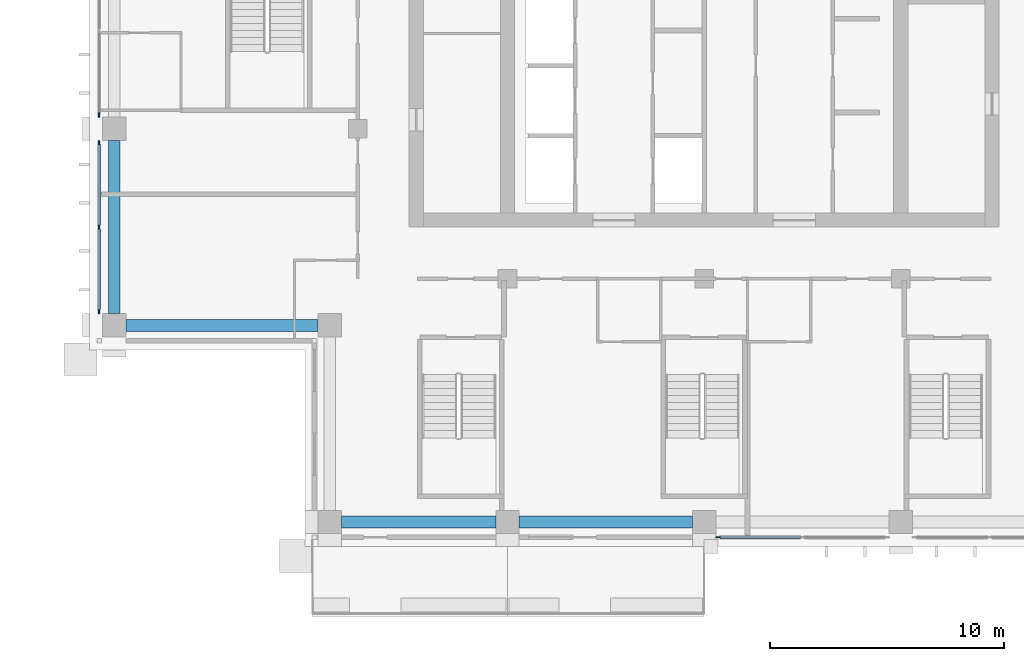
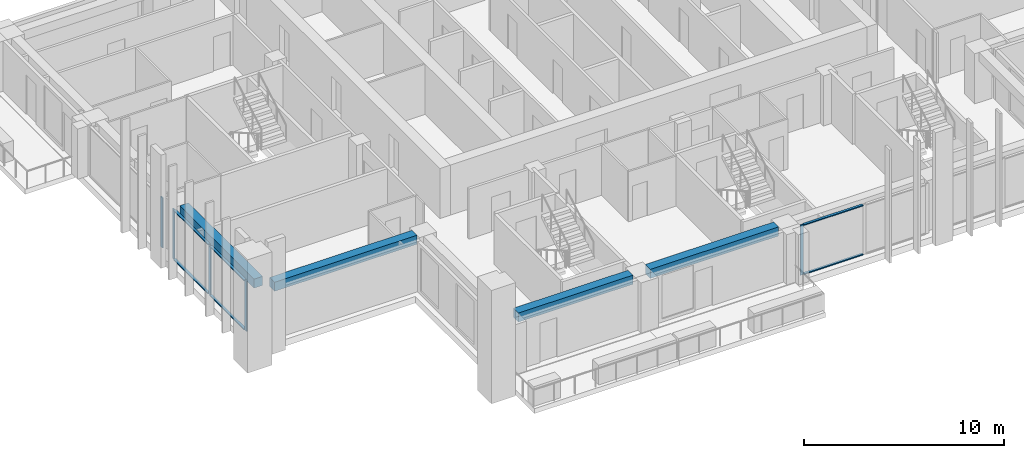
# One storey, part 2 of 16: 11 members, 4 beams, 3 elements without a shape of their own.
"""IFC4 building model written with IfcOpenShell, lengths in metres."""

from ifc_helpers import new_model, si_unit, direction, frame, origin, origin_2d, place, context, subcontext, project, spatial, rectangle, extrude, material, material_profile, profile_set, type_object, element, aggregate, save


model = new_model("IFC4")

# Units and contexts
model_context = context("Model", 3, precision=1e-05, world=origin(), true_north=direction((0.0, 1.0)))
body_context = subcontext(model_context, "Body", "Model", "MODEL_VIEW")
ifc_project = project(units=[si_unit("LENGTHUNIT", "METRE"), si_unit("AREAUNIT", "SQUARE_METRE"), si_unit("VOLUMEUNIT", "CUBIC_METRE"), si_unit("PLANEANGLEUNIT", "RADIAN"), si_unit("MASSUNIT", "GRAM", prefix="KILO")], contexts=[model_context])

# Site, building, storey
site_placement = place(None, origin())
site = spatial("IfcSite", under=ifc_project, at=site_placement, CompositionType="ELEMENT")
building_placement = place(site_placement, origin())
building = spatial("IfcBuilding", under=site, at=building_placement, Name="Vermilion Ogive Tower", CompositionType="ELEMENT")
storey_placement = place(building_placement, frame((0.0, 0.0, 206.60009765625)))
storey = spatial("IfcBuildingStorey", under=building, at=storey_placement, Name="L54", CompositionType="ELEMENT", Elevation=206.60009765625)

# Curtain wall, member
ifc_material_1 = material(Name="Low-iron laminated glazing in aluminium frame", Category="aluminium")
curtain_wall_type = type_object("IfcCurtainWallType", Name="Curtain wall CW7", PredefinedType="NOTDEFINED", material=ifc_material_1)
curtain_wall_1_placement = place(storey_placement, origin())
curtain_wall_1 = element("IfcCurtainWall", 1, at=curtain_wall_1_placement, inside=storey, type_object=curtain_wall_type, Name="Glazed skin S3", PredefinedType="NOTDEFINED")
ifc_material_2 = material(Name="Aluminium mullion", Category="aluminium")
ifc_material_profile_1 = material_profile(ifc_material_2, rectangle(XDim=0.06005859375, YDim=0.179931640625, at=origin_2d()), Name="AL 60x180")
ifc_profile_set_1 = profile_set([ifc_material_profile_1], Name="Aluminium mullion")
member_type_1 = type_object("IfcMemberType", Name="CW7 mullion 60x180", PredefinedType="MULLION", material=ifc_profile_set_1)
member_1_placement = place(storey_placement, frame((0.590087890625, -21.64990234375, 0.0), z_axis=(0.0, 0.0, 1.0), x_axis=(0.0, 1.0, 0.0)))
member_1 = element("IfcMember", 2, at=member_1_placement, type_object=member_type_1, Name="CW7-S3 mullion 1", PredefinedType="MULLION", context=body_context, shape_type="SweptSolid", body=[
    extrude(rectangle(XDim=0.06005859375, YDim=0.179931640625, at=origin_2d()), origin(), (0.0, 0.0, 1.0), 3.0498046875),
])

curtain_wall_2_placement = place(storey_placement, origin())
curtain_wall_2 = element("IfcCurtainWall", 3, at=curtain_wall_2_placement, inside=storey, type_object=curtain_wall_type, Name="Glazed skin W2", PredefinedType="NOTDEFINED")
member_2_placement = place(storey_placement, frame((-25.85009765625, -3.610107421875, 0.0), z_axis=(0.0, 0.0, 1.0), x_axis=(1.0, 0.0, 0.0)))
member_2 = element("IfcMember", 4, at=member_2_placement, type_object=member_type_1, Name="CW7-W2 mullion 3", PredefinedType="MULLION", context=body_context, shape_type="SweptSolid", body=[
    extrude(rectangle(XDim=0.06005859375, YDim=0.179931640625, at=origin_2d()), origin(), (0.0, 0.0, 1.0), 3.0498046875),
])
aggregate(curtain_wall_2, [member_2])

# Curtain wall, members
curtain_wall_3_placement = place(storey_placement, origin())
curtain_wall_3 = element("IfcCurtainWall", 5, at=curtain_wall_3_placement, inside=storey, type_object=curtain_wall_type, Name="Glazed skin W3", PredefinedType="NOTDEFINED")
member_3_placement = place(storey_placement, frame((-25.85009765625, -4.7900390625, 0.0), z_axis=(0.0, 0.0, 1.0), x_axis=(1.0, 0.0, 0.0)))
member_3 = element("IfcMember", 6, at=member_3_placement, type_object=member_type_1, Name="CW7-W3 mullion 1", PredefinedType="MULLION", context=body_context, shape_type="SweptSolid", body=[
    extrude(rectangle(XDim=0.06005859375, YDim=0.179931640625, at=origin_2d()), origin(), (0.0, 0.0, 1.0), 3.0498046875),
])
member_4_placement = place(storey_placement, frame((-25.85009765625, -8.39990234375, 0.0), z_axis=(0.0, 0.0, 1.0), x_axis=(1.0, 0.0, 0.0)))
member_4 = element("IfcMember", 7, at=member_4_placement, type_object=member_type_1, Name="CW7-W3 mullion 2", PredefinedType="MULLION", context=body_context, shape_type="SweptSolid", body=[
    extrude(rectangle(XDim=0.06005859375, YDim=0.179931640625, at=origin_2d()), origin(), (0.0, 0.0, 1.0), 3.0498046875),
])
member_5_placement = place(storey_placement, frame((-25.85009765625, -12.010009765625, 0.0), z_axis=(0.0, 0.0, 1.0), x_axis=(1.0, 0.0, 0.0)))
member_5 = element("IfcMember", 8, at=member_5_placement, type_object=member_type_1, Name="CW7-W3 mullion 3", PredefinedType="MULLION", context=body_context, shape_type="SweptSolid", body=[
    extrude(rectangle(XDim=0.06005859375, YDim=0.179931640625, at=origin_2d()), origin(), (0.0, 0.0, 1.0), 3.0498046875),
])

# Member
ifc_material_3 = material(Name="Aluminium transom", Category="aluminium")
ifc_material_profile_2 = material_profile(ifc_material_3, rectangle(XDim=0.139892578125, YDim=0.06005859375, at=origin_2d()), Name="AL 60x140")
ifc_profile_set_2 = profile_set([ifc_material_profile_2], Name="Aluminium transom")
member_type_2 = type_object("IfcMemberType", Name="CW7 transom 60x140", PredefinedType="USERDEFINED", material=ifc_profile_set_2)
member_6_placement = place(storey_placement, frame((0.679931640625, -21.64990234375, 0.02978515625), z_axis=(1.0, 0.0, 0.0), x_axis=(0.0, 1.0, 0.0)))
member_6 = element("IfcMember", 9, at=member_6_placement, type_object=member_type_2, Name="CW7-S3 transom 1.1", ObjectType="TRANSOM", PredefinedType="USERDEFINED", context=body_context, shape_type="SweptSolid", body=[
    extrude(rectangle(XDim=0.139892578125, YDim=0.06005859375, at=origin_2d()), origin(), (0.0, 0.0, 1.0), 3.43017578125),
])

member_7_placement = place(storey_placement, frame((0.679931640625, -21.64990234375, 3.02001953125), z_axis=(1.0, 0.0, 0.0), x_axis=(0.0, 1.0, 0.0)))
member_7 = element("IfcMember", 10, at=member_7_placement, type_object=member_type_2, Name="CW7-S3 transom 1.2", ObjectType="TRANSOM", PredefinedType="USERDEFINED", context=body_context, shape_type="SweptSolid", body=[
    extrude(rectangle(XDim=0.139892578125, YDim=0.06005859375, at=origin_2d()), origin(), (0.0, 0.0, 1.0), 3.43017578125),
])

aggregate(curtain_wall_1, [member_1, member_6, member_7])

member_8_placement = place(storey_placement, frame((-25.85009765625, -4.8798828125, 0.02978515625), z_axis=(0.0, -1.0, 0.0), x_axis=(1.0, 0.0, 0.0)))
member_8 = element("IfcMember", 11, at=member_8_placement, type_object=member_type_2, Name="CW7-W3 transom 1.1", ObjectType="TRANSOM", PredefinedType="USERDEFINED", context=body_context, shape_type="SweptSolid", body=[
    extrude(rectangle(XDim=0.139892578125, YDim=0.06005859375, at=origin_2d()), origin(), (0.0, 0.0, 1.0), 3.43017578125),
])

member_9_placement = place(storey_placement, frame((-25.85009765625, -4.8798828125, 3.02001953125), z_axis=(0.0, -1.0, 0.0), x_axis=(1.0, 0.0, 0.0)))
member_9 = element("IfcMember", 12, at=member_9_placement, type_object=member_type_2, Name="CW7-W3 transom 1.2", ObjectType="TRANSOM", PredefinedType="USERDEFINED", context=body_context, shape_type="SweptSolid", body=[
    extrude(rectangle(XDim=0.139892578125, YDim=0.06005859375, at=origin_2d()), origin(), (0.0, 0.0, 1.0), 3.43017578125),
])

member_10_placement = place(storey_placement, frame((-25.85009765625, -8.489990234375, 0.02978515625), z_axis=(0.0, -1.0, 0.0), x_axis=(1.0, 0.0, 0.0)))
member_10 = element("IfcMember", 13, at=member_10_placement, type_object=member_type_2, Name="CW7-W3 transom 2.1", ObjectType="TRANSOM", PredefinedType="USERDEFINED", context=body_context, shape_type="SweptSolid", body=[
    extrude(rectangle(XDim=0.139892578125, YDim=0.06005859375, at=origin_2d()), origin(), (0.0, 0.0, 1.0), 3.429931640625),
])

member_11_placement = place(storey_placement, frame((-25.85009765625, -8.489990234375, 3.02001953125), z_axis=(0.0, -1.0, 0.0), x_axis=(1.0, 0.0, 0.0)))
member_11 = element("IfcMember", 14, at=member_11_placement, type_object=member_type_2, Name="CW7-W3 transom 2.2", ObjectType="TRANSOM", PredefinedType="USERDEFINED", context=body_context, shape_type="SweptSolid", body=[
    extrude(rectangle(XDim=0.139892578125, YDim=0.06005859375, at=origin_2d()), origin(), (0.0, 0.0, 1.0), 3.429931640625),
])

aggregate(curtain_wall_3, [member_3, member_4, member_5, member_8, member_9, member_10, member_11])

# Beams
ifc_material_4 = material(Name="Concrete B45", Category="concrete")
ifc_material_profile_3 = material_profile(ifc_material_4, rectangle(XDim=0.5, YDim=0.550048828125, at=origin_2d()), Name="500 x 550")
ifc_profile_set_3 = profile_set([ifc_material_profile_3], Name="Concrete B45")
beam_type = type_object("IfcBeamType", Name="Edge beam 500 x 550 B45", PredefinedType="BEAM", material=ifc_profile_set_3)
beam_1_placement = place(storey_placement, frame((-15.5, -21.0, 2.77490234375), z_axis=(1.0, 0.0, 0.0), x_axis=(0.0, 1.0, 0.0)))
element("IfcBeam", 15, at=beam_1_placement, inside=storey, type_object=beam_type, Name="L54-EB-1", PredefinedType="BEAM", context=body_context, shape_type="SweptSolid", body=[
    extrude(rectangle(XDim=0.5, YDim=0.550048828125, at=origin_2d()), origin(), (0.0, 0.0, 1.0), 6.60009765625),
])
beam_2_placement = place(storey_placement, frame((-7.89990234375, -21.0, 2.77490234375), z_axis=(1.0, 0.0, 0.0), x_axis=(0.0, 1.0, 0.0)))
element("IfcBeam", 16, at=beam_2_placement, inside=storey, type_object=beam_type, Name="L54-EB-2", PredefinedType="BEAM", context=body_context, shape_type="SweptSolid", body=[
    extrude(rectangle(XDim=0.5, YDim=0.550048828125, at=origin_2d()), origin(), (0.0, 0.0, 1.0), 7.39990234375),
])
beam_3_placement = place(storey_placement, frame((-25.199951171875, -4.699951171875, 2.77490234375), z_axis=(0.0, -1.0, 0.0), x_axis=(1.0, 0.0, 0.0)))
element("IfcBeam", 17, at=beam_3_placement, inside=storey, type_object=beam_type, Name="L54-EB-16", PredefinedType="BEAM", context=body_context, shape_type="SweptSolid", body=[
    extrude(rectangle(XDim=0.5, YDim=0.550048828125, at=origin_2d()), origin(), (0.0, 0.0, 1.0), 7.400146484375),
])
beam_4_placement = place(storey_placement, frame((-24.699951171875, -12.60009765625, 2.77490234375), z_axis=(1.0, 0.0, 0.0), x_axis=(0.0, 1.0, 0.0)))
element("IfcBeam", 18, at=beam_4_placement, inside=storey, type_object=beam_type, Name="L54-EB-17", PredefinedType="BEAM", context=body_context, shape_type="SweptSolid", body=[
    extrude(rectangle(XDim=0.5, YDim=0.550048828125, at=origin_2d()), origin(), (0.0, 0.0, 1.0), 8.199951171875),
])

save(model, "model.ifc")
